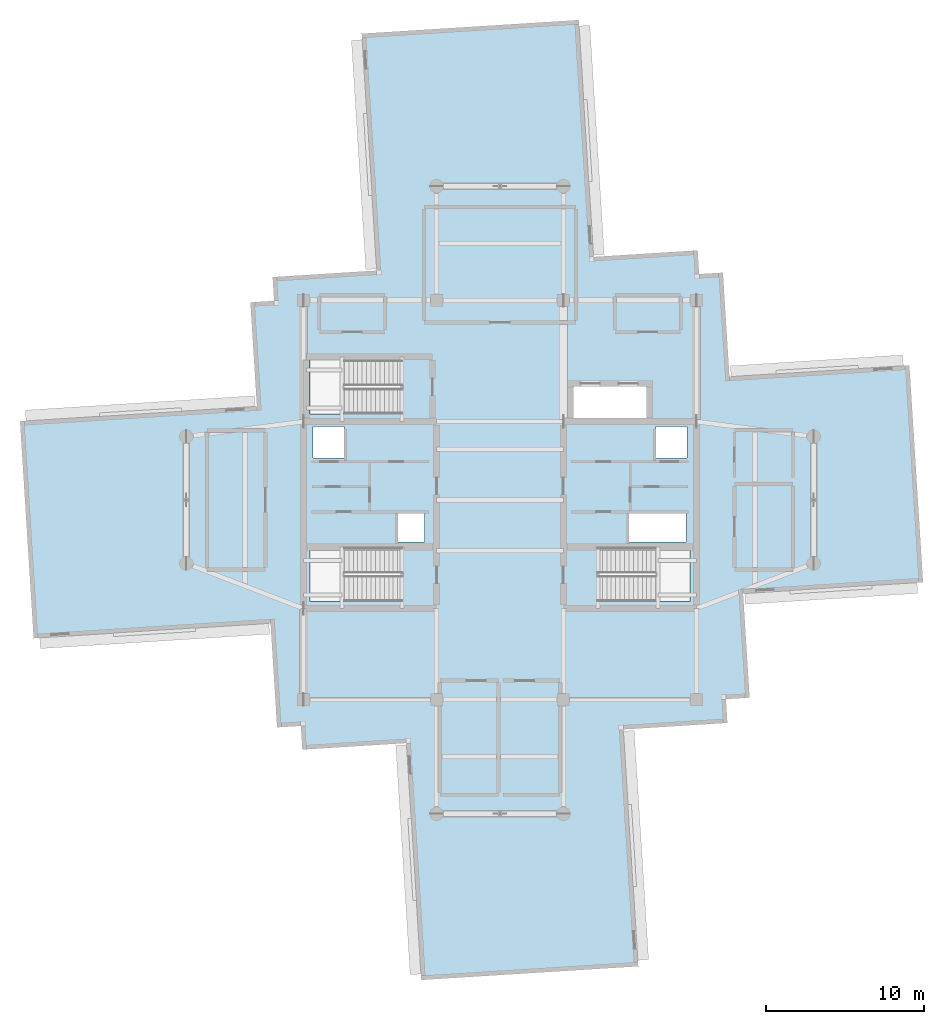
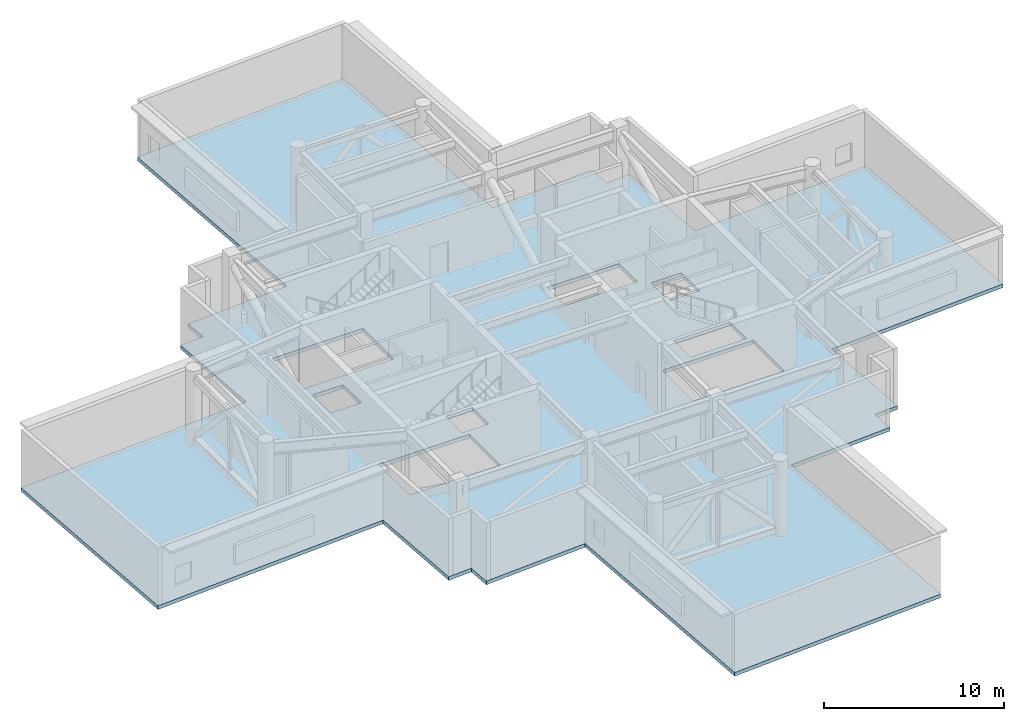
# One storey, part 7 of 14: 1 slab.
"""IFC4 building model written with IfcOpenShell, lengths in metres."""

from ifc_helpers import new_model, si_unit, direction, frame, origin, place, context, subcontext, project, spatial, polyline, outline, extrude, material, layer, layer_set, type_object, element, save


model = new_model("IFC4")

# Units and contexts
model_context = context("Model", 3, precision=1e-05, world=origin(), true_north=direction((0.0, 1.0)))
body_context = subcontext(model_context, "Body", "Model", "MODEL_VIEW")
ifc_project = project(units=[si_unit("LENGTHUNIT", "METRE"), si_unit("AREAUNIT", "SQUARE_METRE"), si_unit("VOLUMEUNIT", "CUBIC_METRE"), si_unit("PLANEANGLEUNIT", "RADIAN"), si_unit("MASSUNIT", "GRAM", prefix="KILO")], contexts=[model_context])

# Site, building, storey
site_placement = place(None, origin())
site = spatial("IfcSite", under=ifc_project, at=site_placement, CompositionType="ELEMENT")
building_placement = place(site_placement, origin())
building = spatial("IfcBuilding", under=site, at=building_placement, Name="Qingluan Cross Belvedere", CompositionType="ELEMENT")
storey_placement = place(building_placement, frame((0.0, 0.0, 288.89990234375)))
storey = spatial("IfcBuildingStorey", under=building, at=storey_placement, Name="L72", CompositionType="ELEMENT", Elevation=288.89990234375)

# Slab
ifc_material = material(Name="Concrete C40", Category="concrete")
ifc_layer = layer(ifc_material, 0.25, Name="FloorSlab_250")
ifc_layer_set = layer_set([ifc_layer], Name="Concrete C40")
slab_type = type_object("IfcSlabType", Name="FloorSlab_250", PredefinedType="FLOOR", material=ifc_layer_set)
slab_placement = place(storey_placement, frame((0.0, 0.0, -0.25)))
element("IfcSlab", 1, at=slab_placement, inside=storey, type_object=slab_type, Name="Structural floor slab L72", PredefinedType="FLOOR", context=body_context, shape_type="SweptSolid", body=[
    extrude(outline(polyline([(8.72509765625, -29.43017578125), (7.78466796875, -14.479736328125), (14.3515625, -14.066650390625), (14.25732421875, -12.569580078125), (15.75439453125, -12.475341796875), (15.34130859375, -5.908447265625), (26.69873046875, -5.19384765625), (25.83740234375, 8.4990234375), (14.479736328125, 7.78466796875), (14.066650390625, 14.3515625), (12.569580078125, 14.25732421875), (12.475341796875, 15.75439453125), (5.908447265625, 15.34130859375), (4.9677734375, 30.291748046875), (-8.72509765625, 29.43017578125), (-7.78466796875, 14.479736328125), (-14.3515625, 14.066650390625), (-14.25732421875, 12.569580078125), (-15.75439453125, 12.475341796875), (-15.34130859375, 5.908447265625), (-30.291748046875, 4.9677734375), (-29.43017578125, -8.72509765625), (-14.479736328125, -7.78466796875), (-14.066650390625, -14.3515625), (-12.569580078125, -14.25732421875), (-12.475341796875, -15.75439453125), (-5.908447265625, -15.34130859375), (-4.9677734375, -30.291748046875), (8.72509765625, -29.43017578125)]), holes=[polyline([(-12.0, -3.0), (-6.179931640625, -3.0), (-6.179931640625, -6.39990234375), (-12.0, -6.39990234375), (-12.0, -3.0)]), polyline([(6.179931640625, -3.0), (12.0, -3.0), (12.0, -6.39990234375), (6.179931640625, -6.39990234375), (6.179931640625, -3.0)]), polyline([(-12.0, 8.820068359375), (-6.179931640625, 8.820068359375), (-6.179931640625, 5.419921875), (-12.0, 5.419921875), (-12.0, 8.820068359375)]), polyline([(-11.800048828125, 4.64990234375), (-9.85009765625, 4.64990234375), (-9.85009765625, 2.64990234375), (-11.800048828125, 2.64990234375), (-11.800048828125, 4.64990234375)]), polyline([(9.85009765625, 4.64990234375), (11.800048828125, 4.64990234375), (11.800048828125, 2.64990234375), (9.85009765625, 2.64990234375), (9.85009765625, 4.64990234375)]), polyline([(-6.449951171875, -0.840087890625), (-4.75, -0.840087890625), (-4.75, -2.659912109375), (-6.449951171875, -2.659912109375), (-6.449951171875, -0.840087890625)]), polyline([(8.14990234375, -0.840087890625), (11.75, -0.840087890625), (11.75, -2.659912109375), (8.14990234375, -2.659912109375), (8.14990234375, -0.840087890625)]), polyline([(4.64990234375, 7.14990234375), (9.25, 7.14990234375), (9.25, 5.14990234375), (4.64990234375, 5.14990234375), (4.64990234375, 7.14990234375)])]), origin(), (0.0, 0.0, 1.0), 0.25),
])

save(model, "model.ifc")
